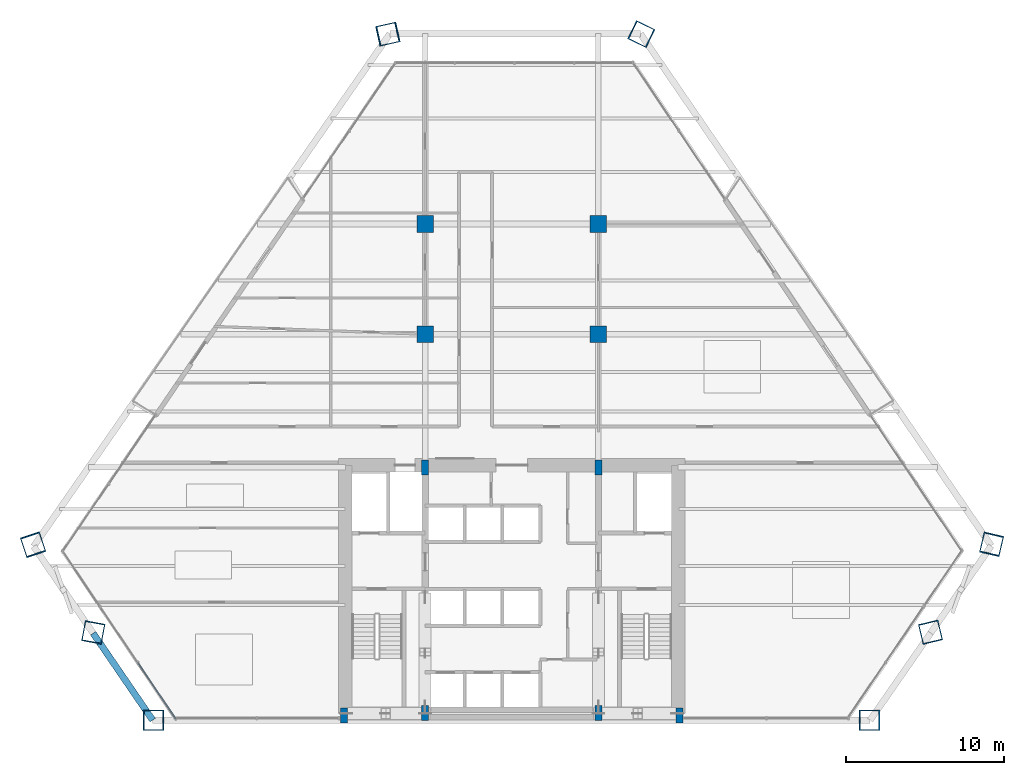
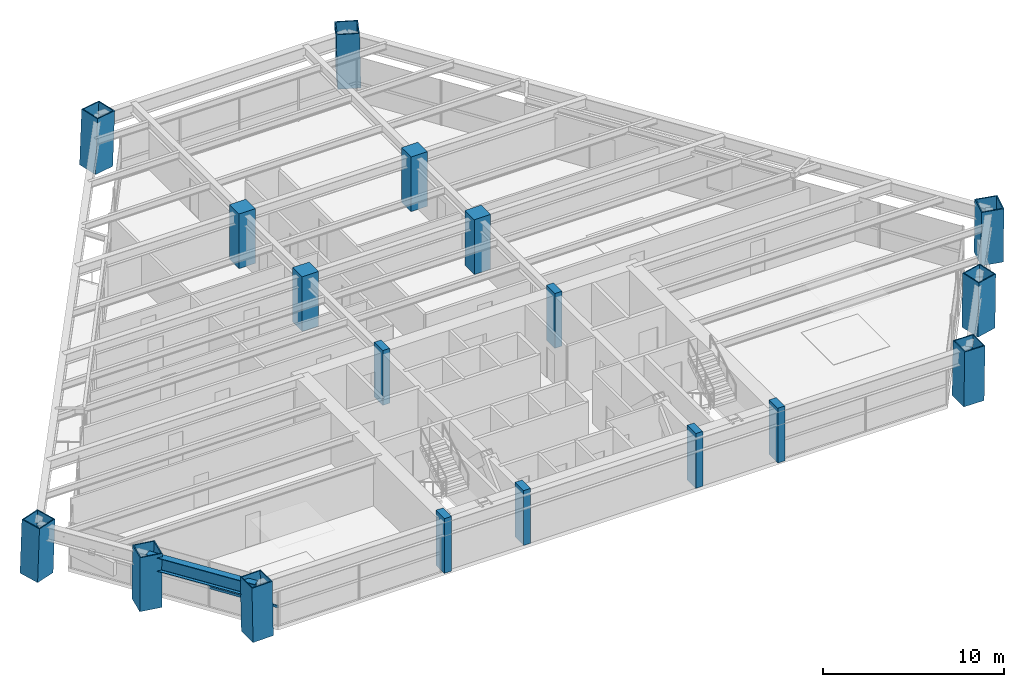
# One storey, part 1 of 14: 18 columns, 1 beam, 1 member, 1 element without a shape of its own.
"""IFC4 building model written with IfcOpenShell, lengths in metres."""

from ifc_helpers import new_model, si_unit, direction, frame, origin, origin_2d, place, context, subcontext, project, spatial, rectangle, hollow_rectangle, i_section, extrude, source, transform, mapped, material, material_profile, profile_set, type_object, type_shapes, element, aggregate, save


model = new_model("IFC4")

# Units and contexts
model_context = context("Model", 3, precision=1e-05, world=origin(), true_north=direction((0.0, 1.0)))
body_context = subcontext(model_context, "Body", "Model", "MODEL_VIEW")
ifc_project = project(units=[si_unit("LENGTHUNIT", "METRE"), si_unit("AREAUNIT", "SQUARE_METRE"), si_unit("VOLUMEUNIT", "CUBIC_METRE"), si_unit("PLANEANGLEUNIT", "RADIAN"), si_unit("MASSUNIT", "GRAM", prefix="KILO")], contexts=[model_context])

# Site, building, storey
site_placement = place(None, origin())
site = spatial("IfcSite", under=ifc_project, at=site_placement, CompositionType="ELEMENT")
building_placement = place(site_placement, origin())
building = spatial("IfcBuilding", under=site, at=building_placement, Name="Varnakhor Terracotta Tower", CompositionType="ELEMENT")
storey_placement = place(building_placement, frame((0.0, 0.0, 42.300048828125)))
storey = spatial("IfcBuildingStorey", under=building, at=storey_placement, Name="L09", CompositionType="ELEMENT", Elevation=42.300048828125)

# Columns
ifc_material_1 = material(Name="Concrete C50/60", Category="concrete")
ifc_material_profile_1 = material_profile(ifc_material_1, rectangle(XDim=0.449951171875, YDim=0.949951171875, at=origin_2d()), Name="RC PILASTER 950x450")
ifc_profile_set_1 = profile_set([ifc_material_profile_1], Name="Concrete C50/60")
column_type_1 = type_object("IfcColumnType", Name="COL-PIL-950x450", PredefinedType="PILASTER", material=ifc_profile_set_1)
shared_shape_1 = source(origin(), body_context, "Body", "SweptSolid", [
    extrude(rectangle(XDim=0.449951171875, YDim=0.949951171875, at=origin_2d()), origin(), (0.0, 0.0, 1.0), 3.699951171875),
])
for number, where, z_axis, x_axis, name in (
    (1, (-10.64990234375, 0.300048828125, 0.0), (0.0, 0.0, 1.0), (1.0, 0.0, 0.0), "L09 Core Pilaster CP1"),
    (2, (-5.5, 0.449951171875, 0.0), (0.0, 0.0, 1.0), (1.0, 0.0, 0.0), "L09 Core Pilaster CP2"),
    (3, (5.5, 0.449951171875, 0.0), (0.0, 0.0, 1.0), (1.0, 0.0, 0.0), "L09 Core Pilaster CP3"),
    (4, (10.64990234375, 0.300048828125, 0.0), (0.0, 0.0, 1.0), (1.0, 0.0, 0.0), "L09 Core Pilaster CP4"),
    (5, (-5.5, 16.050048828125, 0.0), (0.0, 0.0, 1.0), (1.0, 0.0, 0.0), "L09 Core Pilaster CP5"),
    (6, (5.5, 16.050048828125, 0.0), (0.0, 0.0, 1.0), (1.0, 0.0, 0.0), "L09 Core Pilaster CP6"),
):
    element("IfcColumn", number, at=place(storey_placement, frame(where, z_axis=z_axis, x_axis=x_axis)), inside=storey, type_object=column_type_1, Name=name, PredefinedType="PILASTER", context=body_context, shape_type="MappedRepresentation", body=[
        mapped(shared_shape_1, transform((0.0, 0.0, 0.0), scale=1.0)),
    ])
ifc_material_2 = material(Name="Steel S460", Category="steel")
ifc_material_profile_2 = material_profile(ifc_material_2, hollow_rectangle(XDim=1.300048828125, YDim=1.300048828125, WallThickness=0.06494140625, at=origin_2d()), Name="BOX 1300x1300x65")
ifc_profile_set_2 = profile_set([ifc_material_profile_2], Name="Steel S460")
column_type_2 = type_object("IfcColumnType", Name="COL-MEGA-1300", PredefinedType="COLUMN", material=ifc_profile_set_2)
shared_shape_2 = source(origin(), body_context, "Body", "SweptSolid", [
    extrude(hollow_rectangle(XDim=1.300048828125, YDim=1.300048828125, WallThickness=0.06494140625, at=origin_2d()), origin(), (0.0, 0.0, 1.0), 3.69189453125),
])
type_shapes(column_type_2, [shared_shape_2])
for number, where, z_axis, x_axis, name in (
    (7, (-22.730712890625, 0.0, 0.00439453125), (-0.018582676032, 0.0, 0.999827327168), (0.0, -1.0, 0.0), "L09 Perimeter Mega-Column M1"),
    (8, (8.234619140625, 43.54736328125, 0.00439453125), (-0.018978515946, 0.009191685424, 0.999777639704), (-0.435888766337, -0.900000546323, 0.0), "L09 Perimeter Mega-Column M5"),
):
    element("IfcColumn", number, at=place(storey_placement, frame(where, z_axis=z_axis, x_axis=x_axis)), inside=storey, type_object=column_type_2, Name=name, PredefinedType="COLUMN", context=body_context, shape_type="MappedRepresentation", body=[
        mapped(shared_shape_2, transform((0.0, 0.0, 0.0), scale=1.0)),
    ])
shared_shape_3 = source(origin(), body_context, "Body", "SweptSolid", [
    extrude(hollow_rectangle(XDim=1.300048828125, YDim=1.300048828125, WallThickness=0.06494140625, at=origin_2d()), origin(), (0.0, 0.0, 1.0), 3.691650390625),
])
for number, where, z_axis, x_axis, name in (
    (9, (22.69189453125, 0.0, 0.00439453125), (0.015938182946, 0.0, 0.999872979095), (0.0, 1.0, 0.0), "L09 Perimeter Mega-Column M2"),
    (10, (26.5791015625, 5.593994140625, 0.00439453125), (0.004034060771, -0.016731432376, 0.999851881793), (0.972142619527, 0.234390117752, 0.0), "L09 Perimeter Mega-Column M3"),
    (11, (-26.564208984375, 5.580078125, 0.00439453125), (-0.003306559511, -0.017723158979, 0.999837464941), (0.983037888174, -0.183402591077, 0.0), "L09 Perimeter Mega-Column M8"),
):
    element("IfcColumn", number, at=place(storey_placement, frame(where, z_axis=z_axis, x_axis=x_axis)), inside=storey, type_object=column_type_2, Name=name, PredefinedType="COLUMN", context=body_context, shape_type="MappedRepresentation", body=[
        mapped(shared_shape_3, transform((0.0, 0.0, 0.0), scale=1.0)),
    ])
shared_shape_4 = source(origin(), body_context, "Body", "SweptSolid", [
    extrude(hollow_rectangle(XDim=1.300048828125, YDim=1.300048828125, WallThickness=0.06494140625, at=origin_2d()), origin(), (0.0, 0.0, 1.0), 3.693359375),
])
column_1_placement = place(storey_placement, frame((30.46630859375, 11.18798828125, 0.00439453125), z_axis=(-0.007866243174, -0.033448059211, 0.999409500432), x_axis=(0.973442392581, -0.228932104184, 0.0)))
element("IfcColumn", 12, at=column_1_placement, inside=storey, type_object=column_type_2, Name="L09 Perimeter Mega-Column M4", PredefinedType="COLUMN", context=body_context, shape_type="MappedRepresentation", body=[
    mapped(shared_shape_4, transform((0.0, 0.0, 0.0), scale=1.0)),
])
shared_shape_5 = source(origin(), body_context, "Body", "SweptSolid", [
    extrude(hollow_rectangle(XDim=1.300048828125, YDim=1.300048828125, WallThickness=0.06494140625, at=origin_2d()), origin(), (0.0, 0.0, 1.0), 3.69384765625),
])
column_2_placement = place(storey_placement, frame((-30.397705078125, 11.159912109375, 0.00439453125), z_axis=(0.011897260361, -0.035361301628, 0.999303774407), x_axis=(0.94779378767, 0.318883891179, 0.0)))
element("IfcColumn", 13, at=column_2_placement, inside=storey, type_object=column_type_2, Name="L09 Perimeter Mega-Column M7", PredefinedType="COLUMN", context=body_context, shape_type="MappedRepresentation", body=[
    mapped(shared_shape_5, transform((0.0, 0.0, 0.0), scale=1.0)),
])
ifc_material_3 = material(Name="Concrete C60/75", Category="concrete")
ifc_material_profile_3 = material_profile(ifc_material_3, rectangle(XDim=1.050048828125, YDim=1.050048828125, at=origin_2d()), Name="RC 1050x1050")
ifc_profile_set_3 = profile_set([ifc_material_profile_3], Name="Concrete C60/75")
column_type_3 = type_object("IfcColumnType", Name="COL-RC-1050", PredefinedType="COLUMN", material=ifc_profile_set_3)
shared_shape_6 = source(origin(), body_context, "Body", "SweptSolid", [
    extrude(rectangle(XDim=1.050048828125, YDim=1.050048828125, at=origin_2d()), origin(), (0.0, 0.0, 1.0), 3.699951171875),
])
for number, where, z_axis, x_axis, name in (
    (14, (-5.5, 24.5, 0.0), (0.0, 0.0, 1.0), (1.0, 0.0, 0.0), "L09 Interior Tower Column IC1"),
    (15, (5.5, 24.5, 0.0), (0.0, 0.0, 1.0), (1.0, 0.0, 0.0), "L09 Interior Tower Column IC2"),
    (16, (-5.5, 31.5, 0.0), (0.0, 0.0, 1.0), (1.0, 0.0, 0.0), "L09 Interior Tower Column IC3"),
    (17, (5.5, 31.5, 0.0), (0.0, 0.0, 1.0), (1.0, 0.0, 0.0), "L09 Interior Tower Column IC4"),
):
    element("IfcColumn", number, at=place(storey_placement, frame(where, z_axis=z_axis, x_axis=x_axis)), inside=storey, type_object=column_type_3, Name=name, PredefinedType="COLUMN", context=body_context, shape_type="MappedRepresentation", body=[
        mapped(shared_shape_6, transform((0.0, 0.0, 0.0), scale=1.0)),
    ])
shared_shape_7 = source(origin(), body_context, "Body", "SweptSolid", [
    extrude(hollow_rectangle(XDim=1.300048828125, YDim=1.300048828125, WallThickness=0.06494140625, at=origin_2d()), origin(), (0.0, 0.0, 1.0), 3.6943359375),
])
column_3_placement = place(storey_placement, frame((-7.89208984375, 43.54736328125, 0.00439453125), z_axis=(0.041169752905, 0.009185546796, 0.999109942487), x_axis=(-0.217759765001, 0.97600239997, 0.0)))
element("IfcColumn", 18, at=column_3_placement, inside=storey, type_object=column_type_2, Name="L09 Perimeter Mega-Column M6", PredefinedType="COLUMN", context=body_context, shape_type="MappedRepresentation", body=[
    mapped(shared_shape_7, transform((0.0, 0.0, 0.0), scale=1.0)),
])

# Beam
ifc_material_4 = material(Name="Steel S355", Category="steel")
ifc_material_profile_4 = material_profile(ifc_material_4, i_section(OverallWidth=0.41796875, OverallDepth=0.927001953125, WebThickness=0.01904296875, FlangeThickness=0.031982421875, FilletRadius=0.01806640625, at=origin_2d()), Name="W36X231")
ifc_profile_set_4 = profile_set([ifc_material_profile_4], Name="Steel S355")
beam_type = type_object("IfcBeamType", Name="BM-W36X231", PredefinedType="BEAM", material=ifc_profile_set_4)
shared_shape_8 = source(origin(), body_context, "Body", "SweptSolid", [
    extrude(i_section(OverallWidth=0.41796875, OverallDepth=0.927001953125, WebThickness=0.01904296875, FlangeThickness=0.031982421875, FilletRadius=0.01806640625, at=origin_2d()), origin(), (0.0, 0.0, 1.0), 6.68408203125),
])
beam_placement = place(storey_placement, frame((-26.576416015625, 5.5146484375, 2.986572265625), z_axis=(0.565083215943, -0.825033913885, 0.0), x_axis=(0.825033913885, 0.565083215943, 0.0)))
element("IfcBeam", 19, at=beam_placement, inside=storey, type_object=beam_type, Name="L09 Perimeter Spandrel 8", PredefinedType="BEAM", context=body_context, shape_type="MappedRepresentation", body=[
    mapped(shared_shape_8, transform((0.0, 0.0, 0.0), scale=1.0)),
])

# Curtain wall, member
ifc_material_5 = material(Name="Anodised Aluminium Curtain Wall System", Category="aluminium")
curtain_wall_type = type_object("IfcCurtainWallType", Name="CW-SYS-LOW-OFFICE", PredefinedType="NOTDEFINED", material=ifc_material_5)
curtain_wall_placement = place(storey_placement, origin())
curtain_wall = element("IfcCurtainWall", 20, at=curtain_wall_placement, inside=storey, type_object=curtain_wall_type, Name="L09 Facet Curtain Wall 6", PredefinedType="NOTDEFINED")
ifc_material_6 = material(Name="Anodised Aluminium 6063-T6", Category="aluminium")
ifc_material_profile_5 = material_profile(ifc_material_6, rectangle(XDim=0.074951171875, YDim=0.1650390625, at=origin_2d()), Name="ALU TRANSOM 75x165")
ifc_profile_set_5 = profile_set([ifc_material_profile_5], Name="Anodised Aluminium 6063-T6")
member_type = type_object("IfcMemberType", Name="CWT-02", PredefinedType="USERDEFINED", material=ifc_profile_set_5)
shared_shape_9 = source(origin(), body_context, "Body", "SweptSolid", [
    extrude(rectangle(XDim=0.074951171875, YDim=0.1650390625, at=origin_2d()), origin(), (0.0, 0.0, 1.0), 4.290283203125),
])
member_placement = place(storey_placement, frame((-21.337158203125, 0.091796875, 1.2724609375), z_axis=(-0.558581204405, 0.829449840608, 0.0), x_axis=(-0.829449840608, -0.558581204405, 0.0)))
member = element("IfcMember", 21, at=member_placement, type_object=member_type, Name="L09 Facet Curtain Wall 6 Transom 1", ObjectType="TRANSOM", PredefinedType="USERDEFINED", context=body_context, shape_type="MappedRepresentation", body=[
    mapped(shared_shape_9, transform((0.0, 0.0, 0.0), scale=1.0)),
])
aggregate(curtain_wall, [member])

save(model, "model.ifc")
